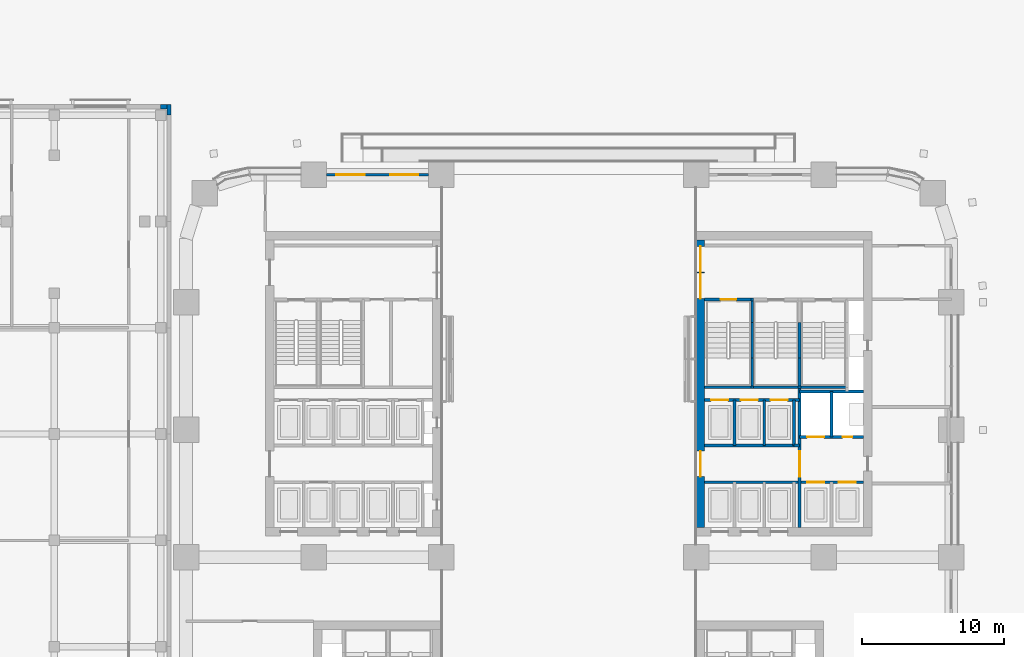
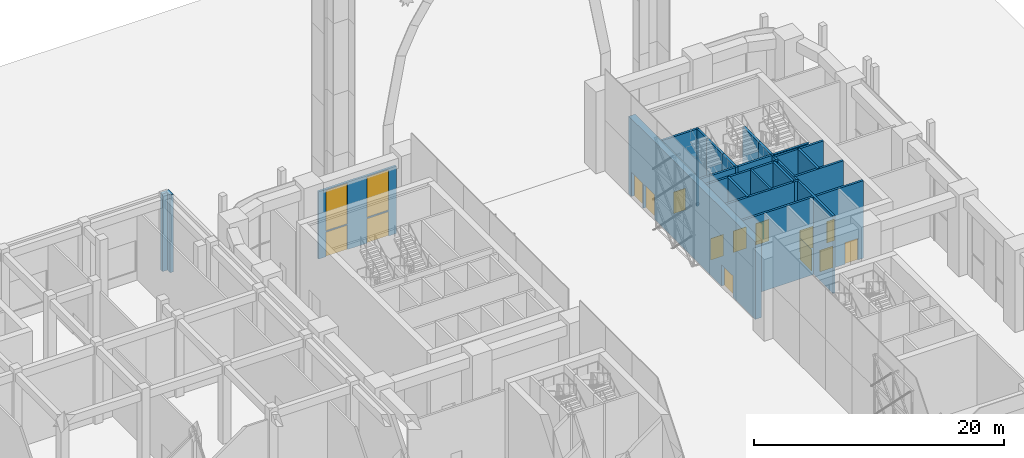
# One storey, part 36 of 64: 27 walls, 14 doors, 2 windows, 16 openings.
"""IFC4 building model written with IfcOpenShell, lengths in metres."""

import ifcopenshell
import ifcopenshell.guid

model = None  # the IFC model being written
_history = None  # IfcOwnerHistory: only IFC2X3 demands one
_inside = {}  # id of a spatial element -> (the spatial element, [elements in it])
_under = {}  # id of a project, library or spatial element -> (it, [spatial elements below it])
_declared = {}  # id of a project -> (the project, [libraries it declares])
_typed = {}  # id of a type object -> (the type object, [elements of that type])
_made_of = {}  # id of a material, layer set ... -> (it, [elements and type objects made of it])


def new_model(schema):
    """Start an empty IFC model of exactly this schema.

    Asked for "IFC4X3", IfcOpenShell would pick the latest addendum, in which some entities
    have other attributes; the version numbers below select the first issue.
    IFC2X3 requires an IfcOwnerHistory on every rooted entity: one is made here for all.
    """
    global model, _history
    if schema == "IFC4X3":
        model = ifcopenshell.file(schema_version=(4, 3, 0, 0))
    else:
        model = ifcopenshell.file(schema=schema)
    _inside.clear()
    _under.clear()
    _declared.clear()
    _typed.clear()
    _made_of.clear()
    _history = None
    if model.schema == "IFC2X3":
        org = make("IfcOrganization", Name="unknown")
        user = make(
            "IfcPersonAndOrganization",
            ThePerson=make("IfcPerson", FamilyName="unknown"),
            TheOrganization=org,
        )
        app = make(
            "IfcApplication",
            ApplicationDeveloper=org,
            Version="unknown",
            ApplicationFullName="unknown",
            ApplicationIdentifier="unknown",
        )
        _history = make(
            "IfcOwnerHistory",
            OwningUser=user,
            OwningApplication=app,
            ChangeAction="ADDED",
            CreationDate=0,
        )
    return model


def make(cls, **values):
    """One entity of the class cls with the attributes given. An attribute that is None is left unset."""
    return model.create_entity(
        cls, **{name: value for name, value in values.items() if value is not None}
    )


def rooted(cls, **values):
    """An entity with a GlobalId (a new one), such as an element, a storey or a relation."""
    return make(cls, GlobalId=ifcopenshell.guid.new(), OwnerHistory=_history, **values)


def si_unit(unit_type, name, prefix=None):
    """IfcSIUnit, for example si_unit("LENGTHUNIT", "METRE", prefix="MILLI")."""
    return make("IfcSIUnit", UnitType=unit_type, Prefix=prefix, Name=name)


def assignment(units):
    """IfcUnitAssignment: the units of a project."""
    return None if units is None else make("IfcUnitAssignment", Units=units)


def point(xyz):
    """IfcCartesianPoint."""
    return None if xyz is None else make("IfcCartesianPoint", Coordinates=xyz)


def direction(xyz):
    """IfcDirection."""
    return None if xyz is None else make("IfcDirection", DirectionRatios=xyz)


def frame(location, z_axis=None, x_axis=None):
    """IfcAxis2Placement3D, a coordinate frame: its origin and axes. An axis left out is left unset."""
    return make(
        "IfcAxis2Placement3D",
        Location=point(location),
        Axis=direction(z_axis),
        RefDirection=direction(x_axis),
    )


def frame_2d(location, x_axis=None):
    """IfcAxis2Placement2D, a coordinate frame in the plane: its origin and x axis."""
    return make(
        "IfcAxis2Placement2D", Location=point(location), RefDirection=direction(x_axis)
    )


def origin():
    """The frame at (0, 0, 0) with its axes left unset."""
    return frame((0.0, 0.0, 0.0))


def place(relative_to, where):
    """IfcLocalPlacement: puts the frame where relative to a parent placement (None: the world)."""
    return make(
        "IfcLocalPlacement", PlacementRelTo=relative_to, RelativePlacement=where
    )


def context(
    kind, dimensions, precision=None, world=None, true_north=None, identifier=None
):
    """IfcGeometricRepresentationContext, for example the 3D "Model" context."""
    return make(
        "IfcGeometricRepresentationContext",
        ContextIdentifier=identifier,
        ContextType=kind,
        CoordinateSpaceDimension=dimensions,
        Precision=precision,
        WorldCoordinateSystem=world,
        TrueNorth=true_north,
    )


def subcontext(parent, identifier, kind, view, scale=None):
    """IfcGeometricRepresentationSubContext, for example "Body" below "Model"."""
    return make(
        "IfcGeometricRepresentationSubContext",
        ContextIdentifier=identifier,
        ContextType=kind,
        ParentContext=parent,
        TargetScale=scale,
        TargetView=view,
    )


def project(units=None, contexts=None):
    """IfcProject with its units and contexts."""
    return rooted(
        "IfcProject",
        Name="project",
        RepresentationContexts=contexts,
        UnitsInContext=assignment(units),
    )


def spatial(cls, under=None, at=None, **own):
    """A site, building, storey or space (cls), placed at a placement, below another one or the project."""
    s = rooted(cls, ObjectPlacement=at, **own)
    if under is not None:
        _under.setdefault(under.id(), (under, []))[1].append(s)
    return s


def profile(cls, at=None, kind="AREA", **sizes):
    """A parametric profile (cls). Its sizes go by their IFC names, for example OverallWidth=200.0."""
    return make(cls, ProfileType=kind, Position=at, **sizes)


def rectangle(**sizes):
    """IfcRectangleProfileDef."""
    return profile("IfcRectangleProfileDef", **sizes)


def extrude(swept, where, along, depth):
    """IfcExtrudedAreaSolid: the profile swept, set in the frame where, extruded along a direction by depth."""
    return make(
        "IfcExtrudedAreaSolid",
        SweptArea=swept,
        Position=where,
        ExtrudedDirection=direction(along),
        Depth=depth,
    )


def shape(context_of_items, identifier, shape_type, items):
    """IfcShapeRepresentation: the items that make up one representation, for example the "Body"."""
    return make(
        "IfcShapeRepresentation",
        ContextOfItems=context_of_items,
        RepresentationIdentifier=identifier,
        RepresentationType=shape_type,
        Items=items,
    )


def material(Name=None, Category=None):
    """IfcMaterial."""
    return make("IfcMaterial", Name=Name, Category=Category)


def layer(
    of_material, thickness, ventilated=None, Name=None, Category=None, Priority=None
):
    """IfcMaterialLayer: one layer of a wall or slab, of a material (None: an air gap)."""
    return make(
        "IfcMaterialLayer",
        Material=of_material,
        LayerThickness=thickness,
        IsVentilated=ventilated,
        Name=Name,
        Category=Category,
        Priority=Priority,
    )


def layer_set(layers, Name=None):
    """IfcMaterialLayerSet."""
    return make("IfcMaterialLayerSet", MaterialLayers=layers, LayerSetName=Name)


def made_of(thing, what):
    """Note that an element or type object is made of a material, layer set ...; save() writes the relation."""
    if what is not None:
        _made_of.setdefault(what.id(), (what, []))[1].append(thing)
    return thing


def type_object(cls, material=None, **own):
    """A type object (cls), such as IfcWallType, which elements share."""
    return made_of(rooted(cls, **own), material)


def element(
    cls,
    number,
    at=None,
    inside=None,
    cuts=None,
    type_object=None,
    material=None,
    context=None,
    identifier="Body",
    shape_type=None,
    held_by="IfcProductDefinitionShape",
    body=None,
    shapes=None,
    **own,
):
    """One element of the class cls, such as IfcWall. Its Tag is "e" and its number.

    at: its placement. inside: the storey or other place that contains it. cuts: it is an
    opening in that element (IfcRelVoidsElement). A single representation is given by context,
    identifier, shape_type and body (its items); several are given by shapes. held_by: the class
    of the entity that holds the representations. save() writes the other relations.
    """
    e = rooted(cls, Tag="e%d" % number, ObjectPlacement=at, **own)
    if body is not None:
        shapes = [shape(context, identifier, shape_type, body)]
    if shapes is not None:
        e.Representation = make(held_by, Representations=shapes)
    if inside is not None:
        _inside.setdefault(inside.id(), (inside, []))[1].append(e)
    if cuts is not None:
        rooted(
            "IfcRelVoidsElement", RelatingBuildingElement=cuts, RelatedOpeningElement=e
        )
    if type_object is not None:
        _typed.setdefault(type_object.id(), (type_object, []))[1].append(e)
    return made_of(e, material)


def fill(opening, filler):
    """IfcRelFillsElement: the door or window that sits in an opening."""
    return rooted(
        "IfcRelFillsElement",
        RelatingOpeningElement=opening,
        RelatedBuildingElement=filler,
    )


def aggregate(whole, parts):
    """IfcRelAggregates: a whole, such as a stair, and the parts it consists of."""
    return rooted("IfcRelAggregates", RelatingObject=whole, RelatedObjects=parts)


def save(model, path):
    """Write the relations noted so far, then the file.

    IfcRelAggregates (storeys below a building ...), IfcRelContainedInSpatialStructure (elements
    in a storey), IfcRelDefinesByType, IfcRelAssociatesMaterial and IfcRelDeclares: one each for
    every whole, place, type object, material and project.
    """
    for whole, parts in _under.values():
        aggregate(whole, parts)
    for where, things in _inside.values():
        rooted(
            "IfcRelContainedInSpatialStructure",
            RelatedElements=things,
            RelatingStructure=where,
        )
    for kind, things in _typed.values():
        rooted("IfcRelDefinesByType", RelatedObjects=things, RelatingType=kind)
    for what, things in _made_of.values():
        rooted("IfcRelAssociatesMaterial", RelatedObjects=things, RelatingMaterial=what)
    for by, libraries in _declared.values():
        rooted("IfcRelDeclares", RelatingContext=by, RelatedDefinitions=libraries)
    model.write(path)


model = new_model("IFC4")

# Units and contexts
model_context = context("Model", 3, precision=1e-05, world=origin(), true_north=direction((0.0, 1.0)))
body_context = subcontext(model_context, "Body", "Model", "MODEL_VIEW")
ifc_project = project(units=[si_unit("LENGTHUNIT", "METRE"), si_unit("AREAUNIT", "SQUARE_METRE"), si_unit("VOLUMEUNIT", "CUBIC_METRE"), si_unit("PLANEANGLEUNIT", "RADIAN"), si_unit("MASSUNIT", "GRAM", prefix="KILO")], contexts=[model_context])

# Site, building, storey
site_placement = place(None, origin())
site = spatial("IfcSite", under=ifc_project, at=site_placement, CompositionType="ELEMENT")
building_placement = place(site_placement, origin())
building = spatial("IfcBuilding", under=site, at=building_placement, Name="Tessera Arch", CompositionType="ELEMENT")
storey_placement = place(building_placement, origin())
storey = spatial("IfcBuildingStorey", under=building, at=storey_placement, Name="L00", CompositionType="ELEMENT", Elevation=0.0)

# Wall
ifc_material_1 = material(Name="Gypsum board on steel stud", Category="steel")
ifc_layer_1 = layer(ifc_material_1, 0.125)
ifc_layer_set_1 = layer_set([ifc_layer_1], Name="Core partition 125 EI 60")
wall_type_1 = type_object("IfcWallType", Name="Core partition 125 EI 60", PredefinedType="PARTITIONING", material=ifc_layer_set_1)
wall_1_placement = place(storey_placement, frame((42.89990234375, 34.89990234375, 0.0), z_axis=(0.0, 0.0, 1.0), x_axis=(1.0, 0.0, 0.0)))
element("IfcWall", 1, at=wall_1_placement, inside=storey, type_object=wall_type_1, Name="L00 C1 partition wall 21", PredefinedType="PARTITIONING", context=body_context, shape_type="SweptSolid", body=[
    extrude(rectangle(XDim=0.400146484375, YDim=0.199951171875, at=frame_2d((0.2001953125, 0.0))), origin(), (0.0, 0.0, 1.0), 7.590087890625),
])

# Wall, openings, doors
ifc_material_2 = material(Name="Concrete C70/85", Category="concrete")
ifc_layer_2 = layer(ifc_material_2, 0.60009765625)
ifc_layer_set_2 = layer_set([ifc_layer_2], Name="Core shell wall 600 C70-85")
wall_type_2 = type_object("IfcWallType", Name="Core shell wall 600 C70-85", PredefinedType="SHEAR", material=ifc_layer_set_2)
wall_2_placement = place(storey_placement, frame((36.300048828125, 29.10009765625, 0.0), z_axis=(0.0, 0.0, 1.0), x_axis=(0.0, 1.0, 0.0)))
wall_2 = element("IfcWall", 2, at=wall_2_placement, inside=storey, type_object=wall_type_2, Name="L00 C1 core wall W", PredefinedType="SHEAR", context=body_context, shape_type="SweptSolid", body=[
    extrude(rectangle(XDim=20.2998046875, YDim=0.60009765625, at=frame_2d((10.14990234375, 0.0))), origin(), (0.0, 0.0, 1.0), 7.590087890625),
])
opening_1_placement = place(wall_2_placement, frame((3.60009765625, 0.0, 0.0)))
opening_1 = element("IfcOpeningElement", 3, at=opening_1_placement, cuts=wall_2, Name="Opening L00-C10", PredefinedType="OPENING", context=body_context, shape_type="SweptSolid", body=[
    extrude(rectangle(XDim=1.800048828125, YDim=2.10009765625, at=frame_2d((0.89990234375, 1.050048828125))), frame((0.0, 0.31005859375, 0.0), z_axis=(0.0, -1.0, 0.0), x_axis=(1.0, 0.0, 0.0)), (0.0, 0.0, 1.0), 0.6201171875),
])
opening_2_placement = place(wall_2_placement, frame((16.14990234375, 0.0, 0.0)))
opening_2 = element("IfcOpeningElement", 4, at=opening_2_placement, cuts=wall_2, Name="Opening L00-C67", PredefinedType="OPENING", context=body_context, shape_type="SweptSolid", body=[
    extrude(rectangle(XDim=1.800048828125, YDim=2.39990234375, at=frame_2d((0.89990234375, 1.199951171875))), frame((0.0, 0.31005859375, 0.0), z_axis=(0.0, -1.0, 0.0), x_axis=(1.0, 0.0, 0.0)), (0.0, 0.0, 1.0), 0.6201171875),
])
opening_3_placement = place(wall_2_placement, frame((18.050048828125, 0.0, 0.0)))
opening_3 = element("IfcOpeningElement", 5, at=opening_3_placement, cuts=wall_2, Name="Opening L00-C68", PredefinedType="OPENING", context=body_context, shape_type="SweptSolid", body=[
    extrude(rectangle(XDim=1.800048828125, YDim=2.39990234375, at=frame_2d((0.89990234375, 1.199951171875))), frame((0.0, 0.31005859375, 0.0), z_axis=(0.0, -1.0, 0.0), x_axis=(1.0, 0.0, 0.0)), (0.0, 0.0, 1.0), 0.6201171875),
])
ifc_material_3 = material(Name="Glazed steel door leaf", Category="steel")
door_type_1 = type_object("IfcDoorType", Name="Lobby double door FD30S 1800 x 2100", OperationType="DOUBLE_DOOR_SINGLE_SWING", PredefinedType="DOOR", material=ifc_material_3)
door_1_placement = place(opening_1_placement, origin())
door_1 = element("IfcDoor", 6, at=door_1_placement, inside=storey, type_object=door_type_1, Name="L00 C1 door 10 C10 type D06", OperationType="DOUBLE_DOOR_SINGLE_SWING", OverallHeight=2.10009765625, OverallWidth=1.800048828125, PredefinedType="DOOR", context=body_context, shape_type="SweptSolid", body=[
    extrude(rectangle(XDim=1.800048828125, YDim=2.10009765625, at=frame_2d((0.89990234375, 1.050048828125))), frame((0.0, 0.02490234375, 0.0), z_axis=(0.0, -1.0, 0.0), x_axis=(1.0, 0.0, 0.0)), (0.0, 0.0, 1.0), 0.050048828125),
])
fill(opening_1, door_1)
ifc_material_4 = material(Name="Steel door leaf", Category="steel")
door_type_2 = type_object("IfcDoorType", Name="Stair discharge door 1800 x 2400", OperationType="DOUBLE_DOOR_SINGLE_SWING", PredefinedType="DOOR", material=ifc_material_4)
door_2_placement = place(opening_2_placement, origin())
door_2 = element("IfcDoor", 7, at=door_2_placement, inside=storey, type_object=door_type_2, Name="Stair S1a exit C67 type D10", OperationType="DOUBLE_DOOR_SINGLE_SWING", OverallHeight=2.39990234375, OverallWidth=1.800048828125, PredefinedType="DOOR", context=body_context, shape_type="SweptSolid", body=[
    extrude(rectangle(XDim=1.800048828125, YDim=2.39990234375, at=frame_2d((0.89990234375, 1.199951171875))), frame((0.0, 0.02490234375, 0.0), z_axis=(0.0, -1.0, 0.0), x_axis=(1.0, 0.0, 0.0)), (0.0, 0.0, 1.0), 0.050048828125),
])
fill(opening_2, door_2)
door_3_placement = place(opening_3_placement, origin())
door_3 = element("IfcDoor", 8, at=door_3_placement, inside=storey, type_object=door_type_2, Name="Stair S1b exit C68 type D10", OperationType="DOUBLE_DOOR_SINGLE_SWING", OverallHeight=2.39990234375, OverallWidth=1.800048828125, PredefinedType="DOOR", context=body_context, shape_type="SweptSolid", body=[
    extrude(rectangle(XDim=1.800048828125, YDim=2.39990234375, at=frame_2d((0.89990234375, 1.199951171875))), frame((0.0, 0.02490234375, 0.0), z_axis=(0.0, -1.0, 0.0), x_axis=(1.0, 0.0, 0.0)), (0.0, 0.0, 1.0), 0.050048828125),
])
fill(opening_3, door_3)

# Wall, openings, doors, windows
ifc_material_5 = material(Name="Aluminium cladding pale metal anodised", Category="aluminium")
ifc_layer_3 = layer(ifc_material_5, 0.199951171875)
ifc_layer_set_3 = layer_set([ifc_layer_3], Name="Envelope wall pale metal")
wall_type_3 = type_object("IfcWallType", Name="Envelope wall pale metal", PredefinedType="SOLIDWALL", material=ifc_layer_set_3)
wall_3_placement = place(storey_placement, frame((17.10009765625, 54.0, 0.0), z_axis=(0.0, 0.0, 1.0), x_axis=(-1.0, 0.0, 0.0)))
wall_3 = element("IfcWall", 9, at=wall_3_placement, inside=storey, type_object=wall_type_3, Name="Door bay wall N54.0/0 L00", PredefinedType="SOLIDWALL", context=body_context, shape_type="SweptSolid", body=[
    extrude(rectangle(XDim=7.2001953125, YDim=0.199951171875, at=frame_2d((3.60009765625, 0.0))), origin(), (0.0, 0.0, 1.0), 6.590087890625),
])
opening_4_placement = place(wall_3_placement, frame((0.699951171875, 0.0, 0.0)))
opening_4 = element("IfcOpeningElement", 10, at=opening_4_placement, cuts=wall_3, Name="Opening L00-X06", PredefinedType="OPENING", context=body_context, shape_type="SweptSolid", body=[
    extrude(rectangle(XDim=2.0, YDim=2.39990234375, at=frame_2d((1.0, 1.199951171875))), frame((0.0, 0.10986328125, 0.0), z_axis=(0.0, -1.0, 0.0), x_axis=(1.0, 0.0, 0.0)), (0.0, 0.0, 1.0), 0.219970703125),
])
opening_5_placement = place(wall_3_placement, frame((0.699951171875, 0.0, 2.5)))
opening_5 = element("IfcOpeningElement", 11, at=opening_5_placement, cuts=wall_3, Name="Opening L00-FL05", PredefinedType="OPENING", context=body_context, shape_type="SweptSolid", body=[
    extrude(rectangle(XDim=2.0, YDim=3.989990234375, at=frame_2d((1.0, 1.9951171875))), frame((0.0, 0.10986328125, 0.0), z_axis=(0.0, -1.0, 0.0), x_axis=(1.0, 0.0, 0.0)), (0.0, 0.0, 1.0), 0.219970703125),
])
opening_6_placement = place(wall_3_placement, frame((4.5, 0.0, 0.0)))
opening_6 = element("IfcOpeningElement", 12, at=opening_6_placement, cuts=wall_3, Name="Opening L00-X07", PredefinedType="OPENING", context=body_context, shape_type="SweptSolid", body=[
    extrude(rectangle(XDim=2.0, YDim=2.39990234375, at=frame_2d((1.0, 1.199951171875))), frame((0.0, 0.10986328125, 0.0), z_axis=(0.0, -1.0, 0.0), x_axis=(1.0, 0.0, 0.0)), (0.0, 0.0, 1.0), 0.219970703125),
])
opening_7_placement = place(wall_3_placement, frame((4.5, 0.0, 2.5)))
opening_7 = element("IfcOpeningElement", 13, at=opening_7_placement, cuts=wall_3, Name="Opening L00-FL06", PredefinedType="OPENING", context=body_context, shape_type="SweptSolid", body=[
    extrude(rectangle(XDim=2.0, YDim=3.989990234375, at=frame_2d((1.0, 1.9951171875))), frame((0.0, 0.10986328125, 0.0), z_axis=(0.0, -1.0, 0.0), x_axis=(1.0, 0.0, 0.0)), (0.0, 0.0, 1.0), 0.219970703125),
])
ifc_material_6 = material(Name="Aluminium frame and clear glass", Category="aluminium")
door_type_3 = type_object("IfcDoorType", Name="Entrance door glazed double leaf", OperationType="DOUBLE_DOOR_SINGLE_SWING", PredefinedType="DOOR", material=ifc_material_6)
door_4_placement = place(opening_4_placement, origin())
door_4 = element("IfcDoor", 14, at=door_4_placement, inside=storey, type_object=door_type_3, Name="Door L00-X-N54.0/0-1 X06", OperationType="DOUBLE_DOOR_SINGLE_SWING", OverallHeight=2.39990234375, OverallWidth=2.0, PredefinedType="DOOR", context=body_context, shape_type="SweptSolid", body=[
    extrude(rectangle(XDim=2.0, YDim=2.39990234375, at=frame_2d((1.0, 1.199951171875))), frame((0.0, 0.02490234375, 0.0), z_axis=(0.0, -1.0, 0.0), x_axis=(1.0, 0.0, 0.0)), (0.0, 0.0, 1.0), 0.050048828125),
])
fill(opening_4, door_4)
door_5_placement = place(opening_6_placement, origin())
door_5 = element("IfcDoor", 15, at=door_5_placement, inside=storey, type_object=door_type_3, Name="Door L00-X-N54.0/0-2 X07", OperationType="DOUBLE_DOOR_SINGLE_SWING", OverallHeight=2.39990234375, OverallWidth=2.0, PredefinedType="DOOR", context=body_context, shape_type="SweptSolid", body=[
    extrude(rectangle(XDim=2.0, YDim=2.39990234375, at=frame_2d((1.0, 1.199951171875))), frame((0.0, 0.02490234375, 0.0), z_axis=(0.0, -1.0, 0.0), x_axis=(1.0, 0.0, 0.0)), (0.0, 0.0, 1.0), 0.050048828125),
])
fill(opening_6, door_5)
ifc_material_7 = material(Name="Clear low-e glass in aluminium frame", Category="aluminium")
window_type = type_object("IfcWindowType", Name="Fanlight fixed clear glass", PartitioningType="SINGLE_PANEL", PredefinedType="WINDOW", material=ifc_material_7)
window_1_placement = place(opening_5_placement, origin())
window_1 = element("IfcWindow", 16, at=window_1_placement, inside=storey, type_object=window_type, Name="Fanlight L00-X-N54.0/0-1", OverallHeight=3.989990234375, OverallWidth=2.0, PartitioningType="SINGLE_PANEL", PredefinedType="WINDOW", context=body_context, shape_type="SweptSolid", body=[
    extrude(rectangle(XDim=2.0, YDim=3.989990234375, at=frame_2d((1.0, 1.9951171875))), frame((0.0, 0.030029296875, 0.0), z_axis=(0.0, -1.0, 0.0), x_axis=(1.0, 0.0, 0.0)), (0.0, 0.0, 1.0), 0.06005859375),
])
fill(opening_5, window_1)
window_2_placement = place(opening_7_placement, origin())
window_2 = element("IfcWindow", 17, at=window_2_placement, inside=storey, type_object=window_type, Name="Fanlight L00-X-N54.0/0-2", OverallHeight=3.989990234375, OverallWidth=2.0, PartitioningType="SINGLE_PANEL", PredefinedType="WINDOW", context=body_context, shape_type="SweptSolid", body=[
    extrude(rectangle(XDim=2.0, YDim=3.989990234375, at=frame_2d((1.0, 1.9951171875))), frame((0.0, 0.030029296875, 0.0), z_axis=(0.0, -1.0, 0.0), x_axis=(1.0, 0.0, 0.0)), (0.0, 0.0, 1.0), 0.06005859375),
])
fill(opening_7, window_2)

# Walls
ifc_material_8 = material(Name="Aluminium cladding pale metal anodised", Category="aluminium")
ifc_layer_4 = layer(ifc_material_8, 0.300048828125)
ifc_layer_set_4 = layer_set([ifc_layer_4], Name="Museum envelope wall pale metal")
wall_type_4 = type_object("IfcWallType", Name="Museum envelope wall pale metal", PredefinedType="SOLIDWALL", material=ifc_layer_set_4)
wall_4_placement = place(storey_placement, frame((-1.35009765625, 58.800048828125, 0.0), z_axis=(0.0, 0.0, 1.0), x_axis=(-1.0, 0.0, 0.0)))
element("IfcWall", 18, at=wall_4_placement, inside=storey, type_object=wall_type_4, Name="Museum external wall pale metal mashrabiya pattern", PredefinedType="SOLIDWALL", context=body_context, shape_type="SweptSolid", body=[
    extrude(rectangle(XDim=0.449951171875, YDim=0.300048828125, at=frame_2d((0.22509765625, 0.0))), origin(), (0.0, 0.0, 1.0), 7.590087890625),
])
ifc_material_9 = material(Name="Concrete C40/50", Category="concrete")
ifc_layer_5 = layer(ifc_material_9, 0.300048828125)
ifc_layer_set_5 = layer_set([ifc_layer_5], Name="Museum fire wall")
wall_type_5 = type_object("IfcWallType", Name="Museum fire wall", PredefinedType="SOLIDWALL", material=ifc_layer_set_5)
wall_5_placement = place(storey_placement, frame((-1.199951171875, 58.199951171875, 0.0), z_axis=(0.0, 0.0, 1.0), x_axis=(0.0, 1.0, 0.0)))
element("IfcWall", 19, at=wall_5_placement, inside=storey, type_object=wall_type_5, Name="Museum fire wall at the movement joint", PredefinedType="SOLIDWALL", context=body_context, shape_type="SweptSolid", body=[
    extrude(rectangle(XDim=0.75, YDim=0.300048828125, at=frame_2d((0.375, 0.0))), origin(), (0.0, 0.0, 1.0), 7.590087890625),
])
ifc_material_10 = material(Name="Concrete C40/50", Category="concrete")
ifc_layer_6 = layer(ifc_material_10, 0.199951171875)
ifc_layer_set_6 = layer_set([ifc_layer_6], Name="Shaft wall 200 EI 120")
wall_type_6 = type_object("IfcWallType", Name="Shaft wall 200 EI 120", PredefinedType="SOLIDWALL", material=ifc_layer_set_6)
for number, where, z_axis, x_axis, name in (
    (20, (38.699951171875, 34.89990234375, 0.0), (0.0, 0.0, 1.0), (0.0, 1.0, 0.0), "L00 C1 shaft wall 2"),
    (21, (40.800048828125, 34.89990234375, 0.0), (0.0, 0.0, 1.0), (0.0, 1.0, 0.0), "L00 C1 shaft wall 7"),
    (22, (42.89990234375, 34.89990234375, 0.0), (0.0, 0.0, 1.0), (0.0, 1.0, 0.0), "L00 C1 shaft wall 9"),
):
    element("IfcWall", number, at=place(storey_placement, frame(where, z_axis=z_axis, x_axis=x_axis)), inside=storey, type_object=wall_type_6, Name=name, PredefinedType="SOLIDWALL", context=body_context, shape_type="SweptSolid", body=[
        extrude(rectangle(XDim=3.2001953125, YDim=0.199951171875, at=frame_2d((1.60009765625, 0.0))), origin(), (0.0, 0.0, 1.0), 7.590087890625),
    ])

# Wall, opening, door
wall_6_placement = place(storey_placement, frame((43.300048828125, 29.10009765625, 0.0), z_axis=(0.0, 0.0, 1.0), x_axis=(0.0, 1.0, 0.0)))
wall_6 = element("IfcWall", 23, at=wall_6_placement, inside=storey, type_object=wall_type_6, Name="L00 C1 shaft wall 10", PredefinedType="SOLIDWALL", context=body_context, shape_type="SweptSolid", body=[
    extrude(rectangle(XDim=9.89990234375, YDim=0.199951171875, at=frame_2d((4.949951171875, 0.0))), origin(), (0.0, 0.0, 1.0), 7.590087890625),
])
opening_8_placement = place(wall_6_placement, frame((3.60009765625, 0.0, 0.0)))
opening_8 = element("IfcOpeningElement", 24, at=opening_8_placement, cuts=wall_6, Name="Opening L00-C11", PredefinedType="OPENING", context=body_context, shape_type="SweptSolid", body=[
    extrude(rectangle(XDim=1.800048828125, YDim=2.10009765625, at=frame_2d((0.89990234375, 1.050048828125))), frame((0.0, 0.10986328125, 0.0), z_axis=(0.0, -1.0, 0.0), x_axis=(1.0, 0.0, 0.0)), (0.0, 0.0, 1.0), 0.219970703125),
])
ifc_material_11 = material(Name="Glazed steel door leaf", Category="steel")
door_type_4 = type_object("IfcDoorType", Name="Lobby double door FD60 1800 x 2100", OperationType="DOUBLE_DOOR_SINGLE_SWING", PredefinedType="DOOR", material=ifc_material_11)
door_6_placement = place(opening_8_placement, origin())
door_6 = element("IfcDoor", 25, at=door_6_placement, inside=storey, type_object=door_type_4, Name="L00 C1 door 11 C11 type D19", OperationType="DOUBLE_DOOR_SINGLE_SWING", OverallHeight=2.10009765625, OverallWidth=1.800048828125, PredefinedType="DOOR", context=body_context, shape_type="SweptSolid", body=[
    extrude(rectangle(XDim=1.800048828125, YDim=2.10009765625, at=frame_2d((0.89990234375, 1.050048828125))), frame((0.0, 0.02490234375, 0.0), z_axis=(0.0, -1.0, 0.0), x_axis=(1.0, 0.0, 0.0)), (0.0, 0.0, 1.0), 0.050048828125),
])
fill(opening_8, door_6)

# Wall
wall_7_placement = place(storey_placement, frame((45.550048828125, 35.5, 0.0), z_axis=(0.0, 0.0, 1.0), x_axis=(0.0, 1.0, 0.0)))
element("IfcWall", 26, at=wall_7_placement, inside=storey, type_object=wall_type_6, Name="L00 C1 shaft wall 15", PredefinedType="SOLIDWALL", context=body_context, shape_type="SweptSolid", body=[
    extrude(rectangle(XDim=3.199951171875, YDim=0.199951171875, at=frame_2d((1.60009765625, 0.0))), origin(), (0.0, 0.0, 1.0), 7.590087890625),
])

# Wall, openings, doors
wall_8_placement = place(storey_placement, frame((36.60009765625, 32.300048828125, 0.0), z_axis=(0.0, 0.0, 1.0), x_axis=(1.0, 0.0, 0.0)))
wall_8 = element("IfcWall", 27, at=wall_8_placement, inside=storey, type_object=wall_type_6, Name="L00 C1 shaft wall 20", PredefinedType="SOLIDWALL", context=body_context, shape_type="SweptSolid", body=[
    extrude(rectangle(XDim=11.199951171875, YDim=0.199951171875, at=frame_2d((5.60009765625, 0.0))), origin(), (0.0, 0.0, 1.0), 7.590087890625),
])
opening_9_placement = place(wall_8_placement, frame((7.22509765625, 0.0, 0.0)))
opening_9 = element("IfcOpeningElement", 28, at=opening_9_placement, cuts=wall_8, Name="Opening L00-C07", PredefinedType="OPENING", context=body_context, shape_type="SweptSolid", body=[
    extrude(rectangle(XDim=1.199951171875, YDim=2.10009765625, at=frame_2d((0.60009765625, 1.050048828125))), frame((0.0, 0.10986328125, 0.0), z_axis=(0.0, -1.0, 0.0), x_axis=(1.0, 0.0, 0.0)), (0.0, 0.0, 1.0), 0.219970703125),
])
opening_10_placement = place(wall_8_placement, frame((9.47509765625, 0.0, 0.0)))
opening_10 = element("IfcOpeningElement", 29, at=opening_10_placement, cuts=wall_8, Name="Opening L00-C08", PredefinedType="OPENING", context=body_context, shape_type="SweptSolid", body=[
    extrude(rectangle(XDim=1.199951171875, YDim=2.10009765625, at=frame_2d((0.60009765625, 1.050048828125))), frame((0.0, 0.10986328125, 0.0), z_axis=(0.0, -1.0, 0.0), x_axis=(1.0, 0.0, 0.0)), (0.0, 0.0, 1.0), 0.219970703125),
])
ifc_material_12 = material(Name="Stainless steel AISI 304", Category="steel")
door_type_5 = type_object("IfcDoorType", Name="Sliding landing door 1200 x 2100", OperationType="SLIDING_TO_LEFT", PredefinedType="DOOR", material=ifc_material_12)
door_7_placement = place(opening_9_placement, origin())
door_7 = element("IfcDoor", 30, at=door_7_placement, inside=storey, type_object=door_type_5, Name="L00 FF1 lift landing door C07 type LD", OperationType="SLIDING_TO_LEFT", OverallHeight=2.10009765625, OverallWidth=1.199951171875, PredefinedType="DOOR", context=body_context, shape_type="SweptSolid", body=[
    extrude(rectangle(XDim=1.199951171875, YDim=2.10009765625, at=frame_2d((0.60009765625, 1.050048828125))), frame((0.0, 0.02490234375, 0.0), z_axis=(0.0, -1.0, 0.0), x_axis=(1.0, 0.0, 0.0)), (0.0, 0.0, 1.0), 0.050048828125),
])
fill(opening_9, door_7)
door_8_placement = place(opening_10_placement, origin())
door_8 = element("IfcDoor", 31, at=door_8_placement, inside=storey, type_object=door_type_5, Name="L00 FF2 lift landing door C08 type LD", OperationType="SLIDING_TO_LEFT", OverallHeight=2.10009765625, OverallWidth=1.199951171875, PredefinedType="DOOR", context=body_context, shape_type="SweptSolid", body=[
    extrude(rectangle(XDim=1.199951171875, YDim=2.10009765625, at=frame_2d((0.60009765625, 1.050048828125))), frame((0.0, 0.02490234375, 0.0), z_axis=(0.0, -1.0, 0.0), x_axis=(1.0, 0.0, 0.0)), (0.0, 0.0, 1.0), 0.050048828125),
])
fill(opening_10, door_8)

# Wall
wall_9_placement = place(storey_placement, frame((36.60009765625, 34.89990234375, 0.0), z_axis=(0.0, 0.0, 1.0), x_axis=(1.0, 0.0, 0.0)))
element("IfcWall", 32, at=wall_9_placement, inside=storey, type_object=wall_type_6, Name="L00 C1 shaft wall 22", PredefinedType="SOLIDWALL", context=body_context, shape_type="SweptSolid", body=[
    extrude(rectangle(XDim=6.2998046875, YDim=0.199951171875, at=frame_2d((3.14990234375, 0.0))), origin(), (0.0, 0.0, 1.0), 7.590087890625),
])

# Wall, openings, doors
wall_10_placement = place(storey_placement, frame((43.300048828125, 35.5, 0.0), z_axis=(0.0, 0.0, 1.0), x_axis=(1.0, 0.0, 0.0)))
wall_10 = element("IfcWall", 33, at=wall_10_placement, inside=storey, type_object=wall_type_6, Name="L00 C1 shaft wall 23", PredefinedType="SOLIDWALL", context=body_context, shape_type="SweptSolid", body=[
    extrude(rectangle(XDim=4.5, YDim=0.199951171875, at=frame_2d((2.25, 0.0))), origin(), (0.0, 0.0, 1.0), 7.590087890625),
])
opening_11_placement = place(wall_10_placement, frame((0.52490234375, 0.0, 0.0)))
opening_11 = element("IfcOpeningElement", 34, at=opening_11_placement, cuts=wall_10, Name="Opening L00-C09", PredefinedType="OPENING", context=body_context, shape_type="SweptSolid", body=[
    extrude(rectangle(XDim=1.199951171875, YDim=2.10009765625, at=frame_2d((0.60009765625, 1.050048828125))), frame((0.0, 0.10986328125, 0.0), z_axis=(0.0, -1.0, 0.0), x_axis=(1.0, 0.0, 0.0)), (0.0, 0.0, 1.0), 0.219970703125),
])
opening_12_placement = place(wall_10_placement, frame((3.02490234375, 0.0, 0.0)))
opening_12 = element("IfcOpeningElement", 35, at=opening_12_placement, cuts=wall_10, Name="Opening L00-C16", PredefinedType="OPENING", context=body_context, shape_type="SweptSolid", body=[
    extrude(rectangle(XDim=0.699951171875, YDim=2.10009765625, at=frame_2d((0.35009765625, 1.050048828125))), frame((0.0, 0.10986328125, 0.0), z_axis=(0.0, -1.0, 0.0), x_axis=(1.0, 0.0, 0.0)), (0.0, 0.0, 1.0), 0.219970703125),
])
ifc_material_13 = material(Name="Steel door leaf", Category="steel")
door_type_6 = type_object("IfcDoorType", Name="Service shaft door FD60 700 x 2100", OperationType="SINGLE_SWING_LEFT", PredefinedType="DOOR", material=ifc_material_13)
door_9_placement = place(opening_12_placement, origin())
door_9 = element("IfcDoor", 36, at=door_9_placement, inside=storey, type_object=door_type_6, Name="L00 C1 door 16 C16 type D07", OperationType="SINGLE_SWING_RIGHT", OverallHeight=2.10009765625, OverallWidth=0.699951171875, PredefinedType="DOOR", context=body_context, shape_type="SweptSolid", body=[
    extrude(rectangle(XDim=0.699951171875, YDim=2.10009765625, at=frame_2d((0.35009765625, 1.050048828125))), frame((0.0, 0.02490234375, 0.0), z_axis=(0.0, -1.0, 0.0), x_axis=(1.0, 0.0, 0.0)), (0.0, 0.0, 1.0), 0.050048828125),
])
fill(opening_12, door_9)
door_10_placement = place(opening_11_placement, origin())
door_10 = element("IfcDoor", 37, at=door_10_placement, inside=storey, type_object=door_type_5, Name="L00 SV2 lift landing door C09 type LD", OperationType="SLIDING_TO_LEFT", OverallHeight=2.10009765625, OverallWidth=1.199951171875, PredefinedType="DOOR", context=body_context, shape_type="SweptSolid", body=[
    extrude(rectangle(XDim=1.199951171875, YDim=2.10009765625, at=frame_2d((0.60009765625, 1.050048828125))), frame((0.0, 0.02490234375, 0.0), z_axis=(0.0, -1.0, 0.0), x_axis=(1.0, 0.0, 0.0)), (0.0, 0.0, 1.0), 0.050048828125),
])
fill(opening_11, door_10)

wall_11_placement = place(storey_placement, frame((36.60009765625, 38.10009765625, 0.0), z_axis=(0.0, 0.0, 1.0), x_axis=(1.0, 0.0, 0.0)))
wall_11 = element("IfcWall", 38, at=wall_11_placement, inside=storey, type_object=wall_type_6, Name="L00 C1 shaft wall 24", PredefinedType="SOLIDWALL", context=body_context, shape_type="SweptSolid", body=[
    extrude(rectangle(XDim=6.699951171875, YDim=0.199951171875, at=frame_2d((3.35009765625, 0.0))), origin(), (0.0, 0.0, 1.0), 7.590087890625),
])
opening_13_placement = place(wall_11_placement, frame((0.449951171875, 0.0, 0.0)))
opening_13 = element("IfcOpeningElement", 39, at=opening_13_placement, cuts=wall_11, Name="Opening L00-C02", PredefinedType="OPENING", context=body_context, shape_type="SweptSolid", body=[
    extrude(rectangle(XDim=1.199951171875, YDim=2.10009765625, at=frame_2d((0.60009765625, 1.050048828125))), frame((0.0, 0.10986328125, 0.0), z_axis=(0.0, -1.0, 0.0), x_axis=(1.0, 0.0, 0.0)), (0.0, 0.0, 1.0), 0.219970703125),
])
opening_14_placement = place(wall_11_placement, frame((2.550048828125, 0.0, 0.0)))
opening_14 = element("IfcOpeningElement", 40, at=opening_14_placement, cuts=wall_11, Name="Opening L00-C04", PredefinedType="OPENING", context=body_context, shape_type="SweptSolid", body=[
    extrude(rectangle(XDim=1.199951171875, YDim=2.10009765625, at=frame_2d((0.60009765625, 1.050048828125))), frame((0.0, 0.10986328125, 0.0), z_axis=(0.0, -1.0, 0.0), x_axis=(1.0, 0.0, 0.0)), (0.0, 0.0, 1.0), 0.219970703125),
])
opening_15_placement = place(wall_11_placement, frame((4.64990234375, 0.0, 0.0)))
opening_15 = element("IfcOpeningElement", 41, at=opening_15_placement, cuts=wall_11, Name="Opening L00-C06", PredefinedType="OPENING", context=body_context, shape_type="SweptSolid", body=[
    extrude(rectangle(XDim=1.199951171875, YDim=2.10009765625, at=frame_2d((0.60009765625, 1.050048828125))), frame((0.0, 0.10986328125, 0.0), z_axis=(0.0, -1.0, 0.0), x_axis=(1.0, 0.0, 0.0)), (0.0, 0.0, 1.0), 0.219970703125),
])
door_11_placement = place(opening_13_placement, origin())
door_11 = element("IfcDoor", 42, at=door_11_placement, inside=storey, type_object=door_type_5, Name="L00 HR4 lift landing door C02 type LD", OperationType="SLIDING_TO_LEFT", OverallHeight=2.10009765625, OverallWidth=1.199951171875, PredefinedType="DOOR", context=body_context, shape_type="SweptSolid", body=[
    extrude(rectangle(XDim=1.199951171875, YDim=2.10009765625, at=frame_2d((0.60009765625, 1.050048828125))), frame((0.0, 0.02490234375, 0.0), z_axis=(0.0, -1.0, 0.0), x_axis=(1.0, 0.0, 0.0)), (0.0, 0.0, 1.0), 0.050048828125),
])
fill(opening_13, door_11)
door_12_placement = place(opening_14_placement, origin())
door_12 = element("IfcDoor", 43, at=door_12_placement, inside=storey, type_object=door_type_5, Name="L00 HR5 lift landing door C04 type LD", OperationType="SLIDING_TO_LEFT", OverallHeight=2.10009765625, OverallWidth=1.199951171875, PredefinedType="DOOR", context=body_context, shape_type="SweptSolid", body=[
    extrude(rectangle(XDim=1.199951171875, YDim=2.10009765625, at=frame_2d((0.60009765625, 1.050048828125))), frame((0.0, 0.02490234375, 0.0), z_axis=(0.0, -1.0, 0.0), x_axis=(1.0, 0.0, 0.0)), (0.0, 0.0, 1.0), 0.050048828125),
])
fill(opening_14, door_12)
door_13_placement = place(opening_15_placement, origin())
door_13 = element("IfcDoor", 44, at=door_13_placement, inside=storey, type_object=door_type_5, Name="L00 HR6 lift landing door C06 type LD", OperationType="SLIDING_TO_LEFT", OverallHeight=2.10009765625, OverallWidth=1.199951171875, PredefinedType="DOOR", context=body_context, shape_type="SweptSolid", body=[
    extrude(rectangle(XDim=1.199951171875, YDim=2.10009765625, at=frame_2d((0.60009765625, 1.050048828125))), frame((0.0, 0.02490234375, 0.0), z_axis=(0.0, -1.0, 0.0), x_axis=(1.0, 0.0, 0.0)), (0.0, 0.0, 1.0), 0.050048828125),
])
fill(opening_15, door_13)

# Walls
wall_12_placement = place(storey_placement, frame((43.300048828125, 38.699951171875, 0.0), z_axis=(0.0, 0.0, 1.0), x_axis=(1.0, 0.0, 0.0)))
element("IfcWall", 45, at=wall_12_placement, inside=storey, type_object=wall_type_6, Name="L00 C1 shaft wall 25", PredefinedType="SOLIDWALL", context=body_context, shape_type="SweptSolid", body=[
    extrude(rectangle(XDim=4.5, YDim=0.199951171875, at=frame_2d((2.25, 0.0))), origin(), (0.0, 0.0, 1.0), 7.590087890625),
])
ifc_material_14 = material(Name="Concrete C40/50", Category="concrete")
ifc_layer_7 = layer(ifc_material_14, 0.199951171875)
ifc_layer_set_7 = layer_set([ifc_layer_7], Name="Stair well wall 200 REI 180")
wall_type_7 = type_object("IfcWallType", Name="Stair well wall 200 REI 180", PredefinedType="SOLIDWALL", material=ifc_layer_set_7)
wall_13_placement = place(storey_placement, frame((39.949951171875, 39.0, 0.0), z_axis=(0.0, 0.0, 1.0), x_axis=(0.0, 1.0, 0.0)))
element("IfcWall", 46, at=wall_13_placement, inside=storey, type_object=wall_type_7, Name="L00 C1 shaft wall 3", PredefinedType="SOLIDWALL", context=body_context, shape_type="SweptSolid", body=[
    extrude(rectangle(XDim=2.06005859375, YDim=0.199951171875, at=frame_2d((1.030029296875, 0.0))), origin(), (0.0, 0.0, 1.0), 7.590087890625),
])
wall_14_placement = place(storey_placement, frame((39.949951171875, 41.06005859375, 0.0), z_axis=(0.0, 0.0, 1.0), x_axis=(0.0, 1.0, 0.0)))
element("IfcWall", 47, at=wall_14_placement, inside=storey, type_object=wall_type_7, Name="L00 C1 shaft wall 4", PredefinedType="SOLIDWALL", context=body_context, shape_type="SweptSolid", body=[
    extrude(rectangle(XDim=2.52001953125, YDim=0.199951171875, at=frame_2d((1.260009765625, 0.0))), origin(), (0.0, 0.0, 1.0), 7.590087890625),
])
wall_15_placement = place(storey_placement, frame((39.949951171875, 43.580078125, 0.0), z_axis=(0.0, 0.0, 1.0), x_axis=(0.0, 1.0, 0.0)))
element("IfcWall", 48, at=wall_15_placement, inside=storey, type_object=wall_type_7, Name="L00 C1 shaft wall 5", PredefinedType="SOLIDWALL", context=body_context, shape_type="SweptSolid", body=[
    extrude(rectangle(XDim=1.619873046875, YDim=0.199951171875, at=frame_2d((0.81005859375, 0.0))), origin(), (0.0, 0.0, 1.0), 7.590087890625),
])
wall_16_placement = place(storey_placement, frame((43.300048828125, 39.0, 0.0), z_axis=(0.0, 0.0, 1.0), x_axis=(0.0, 1.0, 0.0)))
element("IfcWall", 49, at=wall_16_placement, inside=storey, type_object=wall_type_7, Name="L00 C1 shaft wall 11", PredefinedType="SOLIDWALL", context=body_context, shape_type="SweptSolid", body=[
    extrude(rectangle(XDim=2.06005859375, YDim=0.199951171875, at=frame_2d((1.030029296875, 0.0))), origin(), (0.0, 0.0, 1.0), 7.590087890625),
])
wall_17_placement = place(storey_placement, frame((43.300048828125, 41.06005859375, 0.0), z_axis=(0.0, 0.0, 1.0), x_axis=(0.0, 1.0, 0.0)))
element("IfcWall", 50, at=wall_17_placement, inside=storey, type_object=wall_type_7, Name="L00 C1 shaft wall 12", PredefinedType="SOLIDWALL", context=body_context, shape_type="SweptSolid", body=[
    extrude(rectangle(XDim=2.52001953125, YDim=0.199951171875, at=frame_2d((1.260009765625, 0.0))), origin(), (0.0, 0.0, 1.0), 7.590087890625),
])
wall_18_placement = place(storey_placement, frame((36.60009765625, 39.0, 0.0), z_axis=(0.0, 0.0, 1.0), x_axis=(1.0, 0.0, 0.0)))
element("IfcWall", 51, at=wall_18_placement, inside=storey, type_object=wall_type_7, Name="L00 C1 shaft wall 26", PredefinedType="SOLIDWALL", context=body_context, shape_type="SweptSolid", body=[
    extrude(rectangle(XDim=3.25, YDim=0.199951171875, at=frame_2d((1.625, 0.0))), origin(), (0.0, 0.0, 1.0), 7.590087890625),
])
wall_19_placement = place(storey_placement, frame((39.85009765625, 39.0, 0.0), z_axis=(0.0, 0.0, 1.0), x_axis=(1.0, 0.0, 0.0)))
element("IfcWall", 52, at=wall_19_placement, inside=storey, type_object=wall_type_7, Name="L00 C1 shaft wall 27", PredefinedType="SOLIDWALL", context=body_context, shape_type="SweptSolid", body=[
    extrude(rectangle(XDim=0.199951171875, YDim=0.199951171875, at=frame_2d((0.10009765625, 0.0))), origin(), (0.0, 0.0, 1.0), 7.590087890625),
])
wall_20_placement = place(storey_placement, frame((40.050048828125, 39.0, 0.0), z_axis=(0.0, 0.0, 1.0), x_axis=(1.0, 0.0, 0.0)))
element("IfcWall", 53, at=wall_20_placement, inside=storey, type_object=wall_type_7, Name="L00 C1 shaft wall 28", PredefinedType="SOLIDWALL", context=body_context, shape_type="SweptSolid", body=[
    extrude(rectangle(XDim=3.14990234375, YDim=0.199951171875, at=frame_2d((1.574951171875, 0.0))), origin(), (0.0, 0.0, 1.0), 7.590087890625),
])
wall_21_placement = place(storey_placement, frame((43.199951171875, 39.0, 0.0), z_axis=(0.0, 0.0, 1.0), x_axis=(1.0, 0.0, 0.0)))
element("IfcWall", 54, at=wall_21_placement, inside=storey, type_object=wall_type_7, Name="L00 C1 shaft wall 29", PredefinedType="SOLIDWALL", context=body_context, shape_type="SweptSolid", body=[
    extrude(rectangle(XDim=0.199951171875, YDim=0.199951171875, at=frame_2d((0.10009765625, 0.0))), origin(), (0.0, 0.0, 1.0), 7.590087890625),
])
wall_22_placement = place(storey_placement, frame((43.39990234375, 39.0, 0.0), z_axis=(0.0, 0.0, 1.0), x_axis=(1.0, 0.0, 0.0)))
element("IfcWall", 55, at=wall_22_placement, inside=storey, type_object=wall_type_7, Name="L00 C1 shaft wall 30", PredefinedType="SOLIDWALL", context=body_context, shape_type="SweptSolid", body=[
    extrude(rectangle(XDim=3.25, YDim=0.199951171875, at=frame_2d((1.625, 0.0))), origin(), (0.0, 0.0, 1.0), 7.590087890625),
])

# Wall, opening, door
wall_23_placement = place(storey_placement, frame((36.60009765625, 45.199951171875, 0.0), z_axis=(0.0, 0.0, 1.0), x_axis=(1.0, 0.0, 0.0)))
wall_23 = element("IfcWall", 56, at=wall_23_placement, inside=storey, type_object=wall_type_7, Name="L00 C1 shaft wall 32", PredefinedType="SOLIDWALL", context=body_context, shape_type="SweptSolid", body=[
    extrude(rectangle(XDim=3.25, YDim=0.199951171875, at=frame_2d((1.625, 0.0))), origin(), (0.0, 0.0, 1.0), 7.590087890625),
])
opening_16_placement = place(wall_23_placement, frame((1.125, 0.0, 0.0)))
opening_16 = element("IfcOpeningElement", 57, at=opening_16_placement, cuts=wall_23, Name="Opening L00-C12", PredefinedType="OPENING", context=body_context, shape_type="SweptSolid", body=[
    extrude(rectangle(XDim=1.10009765625, YDim=2.10009765625, at=frame_2d((0.550048828125, 1.050048828125))), frame((0.0, 0.10986328125, 0.0), z_axis=(0.0, -1.0, 0.0), x_axis=(1.0, 0.0, 0.0)), (0.0, 0.0, 1.0), 0.219970703125),
])
ifc_material_15 = material(Name="Steel door leaf", Category="steel")
door_type_7 = type_object("IfcDoorType", Name="Stair door FD60 1100 x 2100", OperationType="SINGLE_SWING_LEFT", PredefinedType="DOOR", material=ifc_material_15)
door_14_placement = place(opening_16_placement, origin())
door_14 = element("IfcDoor", 58, at=door_14_placement, inside=storey, type_object=door_type_7, Name="L00 C1 door 12 C12 type D05", OperationType="SINGLE_SWING_RIGHT", OverallHeight=2.10009765625, OverallWidth=1.10009765625, PredefinedType="DOOR", context=body_context, shape_type="SweptSolid", body=[
    extrude(rectangle(XDim=1.10009765625, YDim=2.10009765625, at=frame_2d((0.550048828125, 1.050048828125))), frame((0.0, 0.02490234375, 0.0), z_axis=(0.0, -1.0, 0.0), x_axis=(1.0, 0.0, 0.0)), (0.0, 0.0, 1.0), 0.050048828125),
])
fill(opening_16, door_14)

# Wall
wall_24_placement = place(storey_placement, frame((39.85009765625, 45.199951171875, 0.0), z_axis=(0.0, 0.0, 1.0), x_axis=(1.0, 0.0, 0.0)))
element("IfcWall", 59, at=wall_24_placement, inside=storey, type_object=wall_type_7, Name="L00 C1 shaft wall 33", PredefinedType="SOLIDWALL", context=body_context, shape_type="SweptSolid", body=[
    extrude(rectangle(XDim=0.199951171875, YDim=0.199951171875, at=frame_2d((0.10009765625, 0.0))), origin(), (0.0, 0.0, 1.0), 7.590087890625),
])

save(model, "model.ifc")
